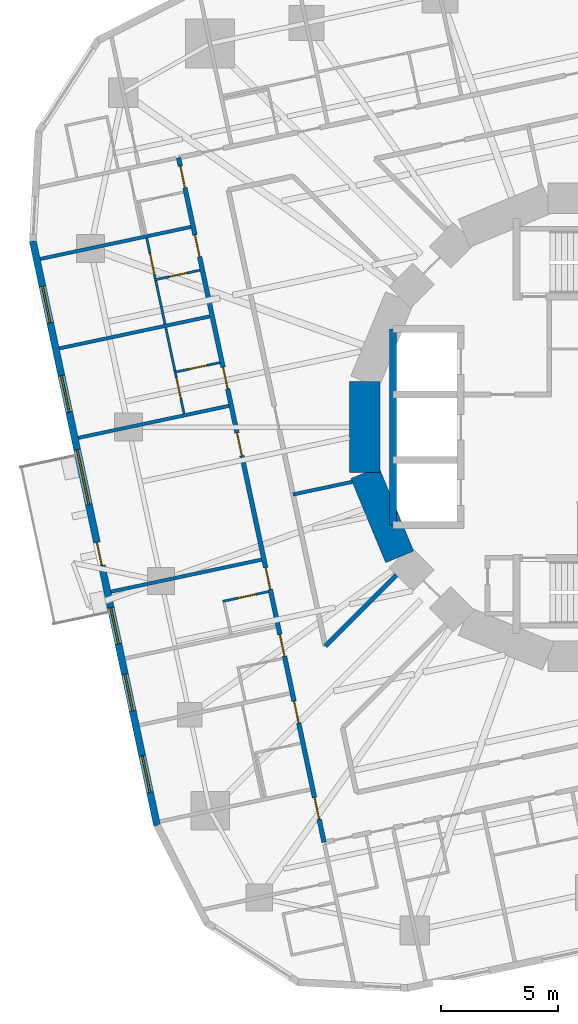
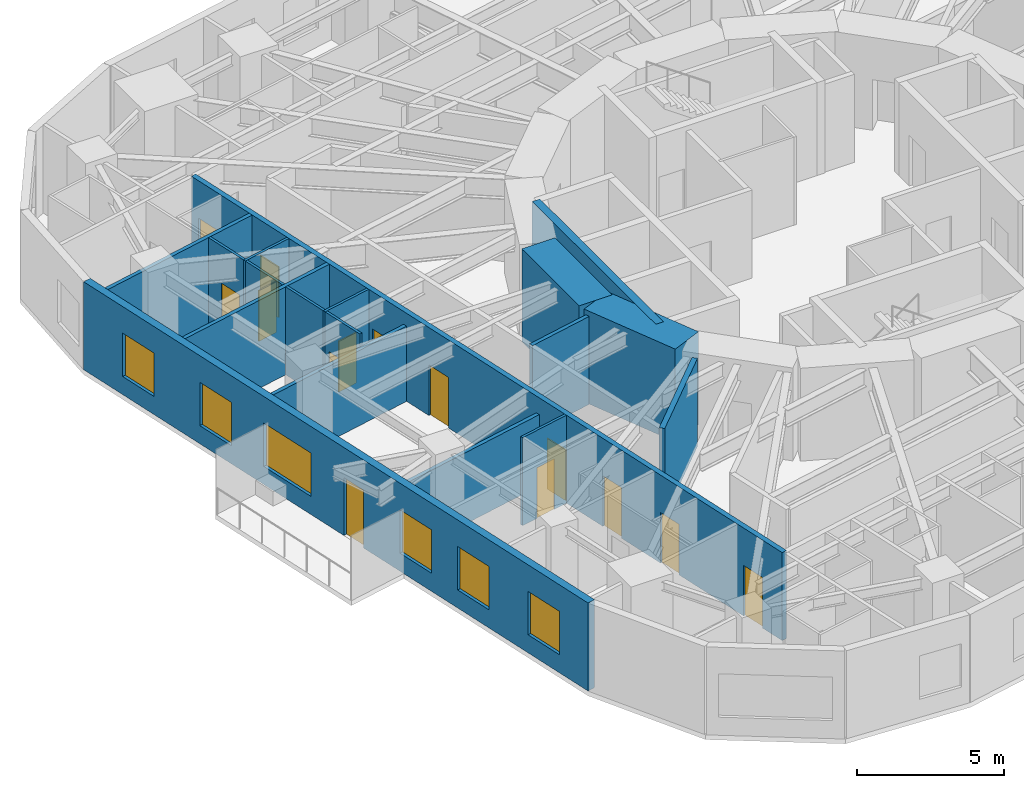
# One storey, part 6 of 14: 18 walls, 14 doors, 6 windows, 20 openings.
"""IFC4 building model written with IfcOpenShell, lengths in metres."""

from ifc_helpers import new_model, si_unit, direction, frame, frame_2d, origin, place, context, subcontext, project, spatial, rectangle, extrude, material, layer, layer_set, type_object, element, fill, save


model = new_model("IFC4")

# Units and contexts
model_context = context("Model", 3, precision=1e-05, world=origin(), true_north=direction((0.0, 1.0)))
body_context = subcontext(model_context, "Body", "Model", "MODEL_VIEW")
ifc_project = project(units=[si_unit("LENGTHUNIT", "METRE"), si_unit("AREAUNIT", "SQUARE_METRE"), si_unit("VOLUMEUNIT", "CUBIC_METRE"), si_unit("PLANEANGLEUNIT", "RADIAN"), si_unit("MASSUNIT", "GRAM", prefix="KILO")], contexts=[model_context])

# Site, building, storey
site_placement = place(None, origin())
site = spatial("IfcSite", under=ifc_project, at=site_placement, CompositionType="ELEMENT")
building_placement = place(site_placement, origin())
building = spatial("IfcBuilding", under=site, at=building_placement, Name="Nakasero Lantern House", CompositionType="ELEMENT")
storey_placement = place(building_placement, frame((0.0, 0.0, 124.25)))
storey = spatial("IfcBuildingStorey", under=building, at=storey_placement, Name="L30", CompositionType="ELEMENT", Elevation=124.25)

# Walls
ifc_material_1 = material(Name="Concrete C50/60", Category="concrete")
ifc_layer_1 = layer(ifc_material_1, 0.300048828125)
ifc_layer_set_1 = layer_set([ifc_layer_1], Name="Core inner wall 300")
wall_type_1 = type_object("IfcWallType", Name="Core inner wall 300", PredefinedType="SHEAR", material=ifc_layer_set_1)
wall_1_placement = place(storey_placement, frame((-8.60009765625, -4.199951171875, 0.0), z_axis=(0.0, 0.0, 1.0), x_axis=(0.0, 1.0, 0.0)))
element("IfcWall", 1, at=wall_1_placement, inside=storey, type_object=wall_type_1, Name="Core inner wall L30 LWB", PredefinedType="SHEAR", context=body_context, shape_type="SweptSolid", body=[
    extrude(rectangle(XDim=8.39990234375, YDim=0.300048828125, at=frame_2d((4.199951171875, 0.0))), origin(), (0.0, 0.0, 1.0), 3.85009765625),
])
ifc_material_2 = material(Name="Concrete C50/60", Category="concrete")
ifc_layer_2 = layer(ifc_material_2, 1.300048828125)
ifc_layer_set_2 = layer_set([ifc_layer_2], Name="Core wall 1300")
wall_type_2 = type_object("IfcWallType", Name="Core wall 1300", PredefinedType="SHEAR", material=ifc_layer_set_2)
for number, where, z_axis, x_axis, name in (
    (2, (-9.807861328125, 1.950927734375, 0.0), (0.0, 0.0, 1.0), (0.0, -1.0, 0.0), "Core wall L30 facet 8"),
    (3, (-9.807861328125, -1.950927734375, 0.0), (0.0, 0.0, 1.0), (0.382690736062, -0.923876507187, 0.0), "Core wall L30 facet 9"),
):
    element("IfcWall", number, at=place(storey_placement, frame(where, z_axis=z_axis, x_axis=x_axis)), inside=storey, type_object=wall_type_2, Name=name, PredefinedType="SHEAR", context=body_context, shape_type="SweptSolid", body=[
        extrude(rectangle(XDim=3.90185546875, YDim=1.300048828125, at=frame_2d((1.950927734375, 0.0))), origin(), (0.0, 0.0, 1.0), 3.85009765625),
    ])

# Wall, openings, doors
ifc_material_3 = material(Name="Blockwork", Category="masonry")
ifc_layer_3 = layer(ifc_material_3, 0.199951171875)
ifc_layer_set_3 = layer_set([ifc_layer_3], Name="Corridor wall 200")
wall_type_3 = type_object("IfcWallType", Name="Corridor wall 200", PredefinedType="PARTITIONING", material=ifc_layer_set_3)
wall_2_placement = place(storey_placement, frame((-17.790771484375, 11.553466796875, 0.0), z_axis=(0.0, 0.0, 1.0), x_axis=(0.207911508826, -0.978147639417, 0.0)))
wall_2 = element("IfcWall", 4, at=wall_2_placement, inside=storey, type_object=wall_type_3, Name="Corridor wall L30 CW2", PredefinedType="PARTITIONING", context=body_context, shape_type="SweptSolid", body=[
    extrude(rectangle(XDim=29.999755859375, YDim=0.199951171875, at=frame_2d((15.0, 0.0))), origin(), (0.0, 0.0, 1.0), 3.64990234375),
])
opening_1_placement = place(wall_2_placement, frame((0.375, 0.0, 0.0)))
opening_1 = element("IfcOpeningElement", 5, at=opening_1_placement, cuts=wall_2, Name="Opening D01", PredefinedType="OPENING", context=body_context, shape_type="SweptSolid", body=[
    extrude(rectangle(XDim=0.949951171875, YDim=2.10009765625, at=frame_2d((0.47509765625, 1.050048828125))), frame((0.0, 0.119873046875, 0.0), z_axis=(0.0, -1.0, 0.0), x_axis=(1.0, 0.0, 0.0)), (0.0, 0.0, 1.0), 0.239990234375),
])
opening_2_placement = place(wall_2_placement, frame((3.39111328125, 0.0, 0.0)))
opening_2 = element("IfcOpeningElement", 6, at=opening_2_placement, cuts=wall_2, Name="Opening D01", PredefinedType="OPENING", context=body_context, shape_type="SweptSolid", body=[
    extrude(rectangle(XDim=0.949951171875, YDim=2.10009765625, at=frame_2d((0.47509765625, 1.050048828125))), frame((0.0, 0.119873046875, 0.0), z_axis=(0.0, -1.0, 0.0), x_axis=(1.0, 0.0, 0.0)), (0.0, 0.0, 1.0), 0.239990234375),
])
opening_3_placement = place(wall_2_placement, frame((9.185546875, 0.0, 0.0)))
opening_3 = element("IfcOpeningElement", 7, at=opening_3_placement, cuts=wall_2, Name="Opening D01", PredefinedType="OPENING", context=body_context, shape_type="SweptSolid", body=[
    extrude(rectangle(XDim=0.949951171875, YDim=2.10009765625, at=frame_2d((0.47509765625, 1.050048828125))), frame((0.0, 0.119873046875, 0.0), z_axis=(0.0, -1.0, 0.0), x_axis=(1.0, 0.0, 0.0)), (0.0, 0.0, 1.0), 0.239990234375),
])
opening_4_placement = place(wall_2_placement, frame((17.967529296875, 0.0, 0.0)))
opening_4 = element("IfcOpeningElement", 8, at=opening_4_placement, cuts=wall_2, Name="Opening D01", PredefinedType="OPENING", context=body_context, shape_type="SweptSolid", body=[
    extrude(rectangle(XDim=0.949951171875, YDim=2.10009765625, at=frame_2d((0.47509765625, 1.050048828125))), frame((0.0, 0.119873046875, 0.0), z_axis=(0.0, -1.0, 0.0), x_axis=(1.0, 0.0, 0.0)), (0.0, 0.0, 1.0), 0.239990234375),
])
opening_5_placement = place(wall_2_placement, frame((20.89404296875, 0.0, 0.0)))
opening_5 = element("IfcOpeningElement", 9, at=opening_5_placement, cuts=wall_2, Name="Opening D01", PredefinedType="OPENING", context=body_context, shape_type="SweptSolid", body=[
    extrude(rectangle(XDim=0.949951171875, YDim=2.10009765625, at=frame_2d((0.47509765625, 1.050048828125))), frame((0.0, 0.119873046875, 0.0), z_axis=(0.0, -1.0, 0.0), x_axis=(1.0, 0.0, 0.0)), (0.0, 0.0, 1.0), 0.239990234375),
])
opening_6_placement = place(wall_2_placement, frame((23.8203125, 0.0, 0.0)))
opening_6 = element("IfcOpeningElement", 10, at=opening_6_placement, cuts=wall_2, Name="Opening D01", PredefinedType="OPENING", context=body_context, shape_type="SweptSolid", body=[
    extrude(rectangle(XDim=0.949951171875, YDim=2.10009765625, at=frame_2d((0.47509765625, 1.050048828125))), frame((0.0, 0.119873046875, 0.0), z_axis=(0.0, -1.0, 0.0), x_axis=(1.0, 0.0, 0.0)), (0.0, 0.0, 1.0), 0.239990234375),
])
opening_7_placement = place(wall_2_placement, frame((28.038330078125, 0.0, 0.0)))
opening_7 = element("IfcOpeningElement", 11, at=opening_7_placement, cuts=wall_2, Name="Opening D01", PredefinedType="OPENING", context=body_context, shape_type="SweptSolid", body=[
    extrude(rectangle(XDim=0.949951171875, YDim=2.10009765625, at=frame_2d((0.47509765625, 1.050048828125))), frame((0.0, 0.119873046875, 0.0), z_axis=(0.0, -1.0, 0.0), x_axis=(1.0, 0.0, 0.0)), (0.0, 0.0, 1.0), 0.239990234375),
])
opening_8_placement = place(wall_2_placement, frame((12.05517578125, 0.0, 0.0)))
opening_8 = element("IfcOpeningElement", 12, at=opening_8_placement, cuts=wall_2, Name="Opening D03", PredefinedType="OPENING", context=body_context, shape_type="SweptSolid", body=[
    extrude(rectangle(XDim=1.0, YDim=2.10009765625, at=frame_2d((0.5, 1.050048828125))), frame((0.0, 0.119873046875, 0.0), z_axis=(0.0, -1.0, 0.0), x_axis=(1.0, 0.0, 0.0)), (0.0, 0.0, 1.0), 0.239990234375),
])
ifc_material_4 = material(Name="Timber C24", Category="wood")
door_type_1 = type_object("IfcDoorType", Name="Bedroom door FD30S 950", OperationType="SINGLE_SWING_LEFT", PredefinedType="DOOR", material=ifc_material_4)
door_1_placement = place(opening_1_placement, origin())
door_1 = element("IfcDoor", 13, at=door_1_placement, inside=storey, type_object=door_type_1, Name="Door L30 D2-00", OperationType="SINGLE_SWING_LEFT", OverallHeight=2.10009765625, OverallWidth=0.949951171875, PredefinedType="DOOR", context=body_context, shape_type="SweptSolid", body=[
    extrude(rectangle(XDim=0.949951171875, YDim=2.10009765625, at=frame_2d((0.47509765625, 1.050048828125))), frame((0.0, 0.02490234375, 0.0), z_axis=(0.0, -1.0, 0.0), x_axis=(1.0, 0.0, 0.0)), (0.0, 0.0, 1.0), 0.050048828125),
])
fill(opening_1, door_1)
door_2_placement = place(opening_2_placement, origin())
door_2 = element("IfcDoor", 14, at=door_2_placement, inside=storey, type_object=door_type_1, Name="Door L30 D2-01", OperationType="SINGLE_SWING_LEFT", OverallHeight=2.10009765625, OverallWidth=0.949951171875, PredefinedType="DOOR", context=body_context, shape_type="SweptSolid", body=[
    extrude(rectangle(XDim=0.949951171875, YDim=2.10009765625, at=frame_2d((0.47509765625, 1.050048828125))), frame((0.0, 0.02490234375, 0.0), z_axis=(0.0, -1.0, 0.0), x_axis=(1.0, 0.0, 0.0)), (0.0, 0.0, 1.0), 0.050048828125),
])
fill(opening_2, door_2)
door_3_placement = place(opening_3_placement, origin())
door_3 = element("IfcDoor", 15, at=door_3_placement, inside=storey, type_object=door_type_1, Name="Door L30 D2-02", OperationType="SINGLE_SWING_LEFT", OverallHeight=2.10009765625, OverallWidth=0.949951171875, PredefinedType="DOOR", context=body_context, shape_type="SweptSolid", body=[
    extrude(rectangle(XDim=0.949951171875, YDim=2.10009765625, at=frame_2d((0.47509765625, 1.050048828125))), frame((0.0, 0.02490234375, 0.0), z_axis=(0.0, -1.0, 0.0), x_axis=(1.0, 0.0, 0.0)), (0.0, 0.0, 1.0), 0.050048828125),
])
fill(opening_3, door_3)
door_4_placement = place(opening_4_placement, origin())
door_4 = element("IfcDoor", 16, at=door_4_placement, inside=storey, type_object=door_type_1, Name="Door L30 D2-05", OperationType="SINGLE_SWING_RIGHT", OverallHeight=2.10009765625, OverallWidth=0.949951171875, PredefinedType="DOOR", context=body_context, shape_type="SweptSolid", body=[
    extrude(rectangle(XDim=0.949951171875, YDim=2.10009765625, at=frame_2d((0.47509765625, 1.050048828125))), frame((0.0, 0.02490234375, 0.0), z_axis=(0.0, -1.0, 0.0), x_axis=(1.0, 0.0, 0.0)), (0.0, 0.0, 1.0), 0.050048828125),
])
fill(opening_4, door_4)
door_5_placement = place(opening_5_placement, origin())
door_5 = element("IfcDoor", 17, at=door_5_placement, inside=storey, type_object=door_type_1, Name="Door L30 D2-06", OperationType="SINGLE_SWING_RIGHT", OverallHeight=2.10009765625, OverallWidth=0.949951171875, PredefinedType="DOOR", context=body_context, shape_type="SweptSolid", body=[
    extrude(rectangle(XDim=0.949951171875, YDim=2.10009765625, at=frame_2d((0.47509765625, 1.050048828125))), frame((0.0, 0.02490234375, 0.0), z_axis=(0.0, -1.0, 0.0), x_axis=(1.0, 0.0, 0.0)), (0.0, 0.0, 1.0), 0.050048828125),
])
fill(opening_5, door_5)
door_6_placement = place(opening_6_placement, origin())
door_6 = element("IfcDoor", 18, at=door_6_placement, inside=storey, type_object=door_type_1, Name="Door L30 D2-07", OperationType="SINGLE_SWING_RIGHT", OverallHeight=2.10009765625, OverallWidth=0.949951171875, PredefinedType="DOOR", context=body_context, shape_type="SweptSolid", body=[
    extrude(rectangle(XDim=0.949951171875, YDim=2.10009765625, at=frame_2d((0.47509765625, 1.050048828125))), frame((0.0, 0.02490234375, 0.0), z_axis=(0.0, -1.0, 0.0), x_axis=(1.0, 0.0, 0.0)), (0.0, 0.0, 1.0), 0.050048828125),
])
fill(opening_6, door_6)
door_7_placement = place(opening_7_placement, origin())
door_7 = element("IfcDoor", 19, at=door_7_placement, inside=storey, type_object=door_type_1, Name="Door L30 D2-08", OperationType="SINGLE_SWING_RIGHT", OverallHeight=2.10009765625, OverallWidth=0.949951171875, PredefinedType="DOOR", context=body_context, shape_type="SweptSolid", body=[
    extrude(rectangle(XDim=0.949951171875, YDim=2.10009765625, at=frame_2d((0.47509765625, 1.050048828125))), frame((0.0, 0.02490234375, 0.0), z_axis=(0.0, -1.0, 0.0), x_axis=(1.0, 0.0, 0.0)), (0.0, 0.0, 1.0), 0.050048828125),
])
fill(opening_7, door_7)
ifc_material_5 = material(Name="Timber C24", Category="wood")
door_type_2 = type_object("IfcDoorType", Name="Lounge door FD30S 1000", OperationType="SINGLE_SWING_LEFT", PredefinedType="DOOR", material=ifc_material_5)
door_8_placement = place(opening_8_placement, origin())
door_8 = element("IfcDoor", 20, at=door_8_placement, inside=storey, type_object=door_type_2, Name="Door L30 DK2", OperationType="SINGLE_SWING_LEFT", OverallHeight=2.10009765625, OverallWidth=1.0, PredefinedType="DOOR", context=body_context, shape_type="SweptSolid", body=[
    extrude(rectangle(XDim=1.0, YDim=2.10009765625, at=frame_2d((0.5, 1.050048828125))), frame((0.0, 0.02490234375, 0.0), z_axis=(0.0, -1.0, 0.0), x_axis=(1.0, 0.0, 0.0)), (0.0, 0.0, 1.0), 0.050048828125),
])
fill(opening_8, door_8)

# Wall
wall_3_placement = place(storey_placement, frame((-8.45556640625, -6.334228515625, 0.0), z_axis=(0.0, 0.0, 1.0), x_axis=(-0.707106781187, -0.707106781187, 0.0)))
element("IfcWall", 21, at=wall_3_placement, inside=storey, type_object=wall_type_3, Name="Corridor wall L30 PS10b", PredefinedType="PARTITIONING", context=body_context, shape_type="SweptSolid", body=[
    extrude(rectangle(XDim=4.30712890625, YDim=0.199951171875, at=frame_2d((2.153564453125, 0.0))), origin(), (0.0, 0.0, 1.0), 3.64990234375),
])

# Wall, opening, door
ifc_material_6 = material(Name="Blockwork", Category="masonry")
ifc_layer_4 = layer(ifc_material_6, 0.10009765625)
ifc_layer_set_4 = layer_set([ifc_layer_4], Name="En-suite wall 100")
wall_type_4 = type_object("IfcWallType", Name="En-suite wall 100", PredefinedType="PARTITIONING", material=ifc_layer_set_4)
wall_4_placement = place(storey_placement, frame((-16.86767578125, 6.7294921875, 0.0), z_axis=(0.0, 0.0, 1.0), x_axis=(-0.978128127149, -0.208003285743, 0.0)))
wall_4 = element("IfcWall", 22, at=wall_4_placement, inside=storey, type_object=wall_type_4, Name="En-suite wall L30 ES2-01", PredefinedType="PARTITIONING", context=body_context, shape_type="SweptSolid", body=[
    extrude(rectangle(XDim=2.0, YDim=0.10009765625, at=frame_2d((1.0, 0.0))), origin(), (0.0, 0.0, 1.0), 3.64990234375),
])
opening_9_placement = place(wall_4_placement, frame((0.550048828125, 0.0, 0.0)))
opening_9 = element("IfcOpeningElement", 23, at=opening_9_placement, cuts=wall_4, Name="Opening D02", PredefinedType="OPENING", context=body_context, shape_type="SweptSolid", body=[
    extrude(rectangle(XDim=0.800048828125, YDim=2.10009765625, at=frame_2d((0.39990234375, 1.050048828125))), frame((0.0, 0.070068359375, 0.0), z_axis=(0.0, -1.0, 0.0), x_axis=(1.0, 0.0, 0.0)), (0.0, 0.0, 1.0), 0.14013671875),
])
ifc_material_7 = material(Name="Timber C24", Category="wood")
door_type_3 = type_object("IfcDoorType", Name="En-suite door 800", OperationType="SINGLE_SWING_RIGHT", PredefinedType="DOOR", material=ifc_material_7)
door_9_placement = place(opening_9_placement, origin())
door_9 = element("IfcDoor", 24, at=door_9_placement, inside=storey, type_object=door_type_3, Name="Door L30 DE2-01", OperationType="SINGLE_SWING_LEFT", OverallHeight=2.10009765625, OverallWidth=0.800048828125, PredefinedType="DOOR", context=body_context, shape_type="SweptSolid", body=[
    extrude(rectangle(XDim=0.800048828125, YDim=2.10009765625, at=frame_2d((0.39990234375, 1.050048828125))), frame((0.0, 0.02490234375, 0.0), z_axis=(0.0, -1.0, 0.0), x_axis=(1.0, 0.0, 0.0)), (0.0, 0.0, 1.0), 0.050048828125),
])
fill(opening_9, door_9)

# Wall
wall_5_placement = place(storey_placement, frame((-18.7646484375, 6.275146484375, 0.0), z_axis=(0.0, 0.0, 1.0), x_axis=(0.207887952389, -0.978152646192, 0.0)))
element("IfcWall", 25, at=wall_5_placement, inside=storey, type_object=wall_type_4, Name="En-suite wall L30 EE2-01", PredefinedType="PARTITIONING", context=body_context, shape_type="SweptSolid", body=[
    extrude(rectangle(XDim=1.900146484375, YDim=0.10009765625, at=frame_2d((0.9501953125, 0.0))), origin(), (0.0, 0.0, 1.0), 3.64990234375),
])

# Wall, opening, door
wall_6_placement = place(storey_placement, frame((-16.025634765625, 2.767822265625, 0.0), z_axis=(0.0, 0.0, 1.0), x_axis=(-0.978152955943, -0.207886494942, 0.0)))
wall_6 = element("IfcWall", 26, at=wall_6_placement, inside=storey, type_object=wall_type_4, Name="En-suite wall L30 ES2-02", PredefinedType="PARTITIONING", context=body_context, shape_type="SweptSolid", body=[
    extrude(rectangle(XDim=2.0, YDim=0.10009765625, at=frame_2d((1.0, 0.0))), origin(), (0.0, 0.0, 1.0), 3.64990234375),
])
opening_10_placement = place(wall_6_placement, frame((0.550048828125, 0.0, 0.0)))
opening_10 = element("IfcOpeningElement", 27, at=opening_10_placement, cuts=wall_6, Name="Opening D02", PredefinedType="OPENING", context=body_context, shape_type="SweptSolid", body=[
    extrude(rectangle(XDim=0.800048828125, YDim=2.10009765625, at=frame_2d((0.39990234375, 1.050048828125))), frame((0.0, 0.070068359375, 0.0), z_axis=(0.0, -1.0, 0.0), x_axis=(1.0, 0.0, 0.0)), (0.0, 0.0, 1.0), 0.14013671875),
])
door_10_placement = place(opening_10_placement, origin())
door_10 = element("IfcDoor", 28, at=door_10_placement, inside=storey, type_object=door_type_3, Name="Door L30 DE2-02", OperationType="SINGLE_SWING_LEFT", OverallHeight=2.10009765625, OverallWidth=0.800048828125, PredefinedType="DOOR", context=body_context, shape_type="SweptSolid", body=[
    extrude(rectangle(XDim=0.800048828125, YDim=2.10009765625, at=frame_2d((0.39990234375, 1.050048828125))), frame((0.0, 0.02490234375, 0.0), z_axis=(0.0, -1.0, 0.0), x_axis=(1.0, 0.0, 0.0)), (0.0, 0.0, 1.0), 0.050048828125),
])
fill(opening_10, door_10)

# Wall
wall_7_placement = place(storey_placement, frame((-18.33837890625, 4.269775390625, 0.0), z_axis=(0.0, 0.0, 1.0), x_axis=(0.207914082431, -0.978147092378, 0.0)))
element("IfcWall", 29, at=wall_7_placement, inside=storey, type_object=wall_type_4, Name="En-suite wall L30 EE2-02", PredefinedType="PARTITIONING", context=body_context, shape_type="SweptSolid", body=[
    extrude(rectangle(XDim=1.89990234375, YDim=0.10009765625, at=frame_2d((0.949951171875, 0.0))), origin(), (0.0, 0.0, 1.0), 3.64990234375),
])

# Wall, opening, door
wall_8_placement = place(storey_placement, frame((-13.939697265625, -7.046142578125, 0.0), z_axis=(0.0, 0.0, 1.0), x_axis=(-0.978152955943, -0.207886494942, 0.0)))
wall_8 = element("IfcWall", 30, at=wall_8_placement, inside=storey, type_object=wall_type_4, Name="En-suite wall L30 ES2-05", PredefinedType="PARTITIONING", context=body_context, shape_type="SweptSolid", body=[
    extrude(rectangle(XDim=2.0, YDim=0.10009765625, at=frame_2d((1.0, 0.0))), origin(), (0.0, 0.0, 1.0), 3.64990234375),
])
opening_11_placement = place(wall_8_placement, frame((0.550048828125, 0.0, 0.0)))
opening_11 = element("IfcOpeningElement", 31, at=opening_11_placement, cuts=wall_8, Name="Opening D02", PredefinedType="OPENING", context=body_context, shape_type="SweptSolid", body=[
    extrude(rectangle(XDim=0.800048828125, YDim=2.10009765625, at=frame_2d((0.39990234375, 1.050048828125))), frame((0.0, 0.070068359375, 0.0), z_axis=(0.0, -1.0, 0.0), x_axis=(1.0, 0.0, 0.0)), (0.0, 0.0, 1.0), 0.14013671875),
])
door_11_placement = place(opening_11_placement, origin())
door_11 = element("IfcDoor", 32, at=door_11_placement, inside=storey, type_object=door_type_3, Name="Door L30 DE2-05", OperationType="SINGLE_SWING_LEFT", OverallHeight=2.10009765625, OverallWidth=0.800048828125, PredefinedType="DOOR", context=body_context, shape_type="SweptSolid", body=[
    extrude(rectangle(XDim=0.800048828125, YDim=2.10009765625, at=frame_2d((0.39990234375, 1.050048828125))), frame((0.0, 0.02490234375, 0.0), z_axis=(0.0, -1.0, 0.0), x_axis=(1.0, 0.0, 0.0)), (0.0, 0.0, 1.0), 0.050048828125),
])
fill(opening_11, door_11)

wall_9_placement = place(storey_placement, frame((-19.1533203125, 8.103759765625, 0.0), z_axis=(0.0, 0.0, 1.0), x_axis=(0.207908255933, -0.978148330835, 0.0)))
wall_9 = element("IfcWall", 33, at=wall_9_placement, inside=storey, type_object=wall_type_4, Name="En-suite wall L30 EL2-01", PredefinedType="PARTITIONING", context=body_context, shape_type="SweptSolid", body=[
    extrude(rectangle(XDim=1.76953125, YDim=0.10009765625, at=frame_2d((0.884765625, 0.0))), origin(), (0.0, 0.0, 1.0), 3.64990234375),
])
opening_12_placement = place(wall_9_placement, frame((0.66943359375, 0.0, 0.0)))
opening_12 = element("IfcOpeningElement", 34, at=opening_12_placement, cuts=wall_9, Name="Opening D17", PredefinedType="OPENING", context=body_context, shape_type="SweptSolid", body=[
    extrude(rectangle(XDim=0.89990234375, YDim=2.10009765625, at=frame_2d((0.449951171875, 1.050048828125))), frame((0.0, 0.070068359375, 0.0), z_axis=(0.0, -1.0, 0.0), x_axis=(1.0, 0.0, 0.0)), (0.0, 0.0, 1.0), 0.14013671875),
])
ifc_material_8 = material(Name="Timber C24", Category="wood")
door_type_4 = type_object("IfcDoorType", Name="Bedroom door FD30S 900", OperationType="SINGLE_SWING_LEFT", PredefinedType="DOOR", material=ifc_material_8)
door_12_placement = place(opening_12_placement, origin())
door_12 = element("IfcDoor", 35, at=door_12_placement, inside=storey, type_object=door_type_4, Name="Door L30 DL2-01", OperationType="SINGLE_SWING_RIGHT", OverallHeight=2.10009765625, OverallWidth=0.89990234375, PredefinedType="DOOR", context=body_context, shape_type="SweptSolid", body=[
    extrude(rectangle(XDim=0.89990234375, YDim=2.10009765625, at=frame_2d((0.449951171875, 1.050048828125))), frame((0.0, 0.02490234375, 0.0), z_axis=(0.0, -1.0, 0.0), x_axis=(1.0, 0.0, 0.0)), (0.0, 0.0, 1.0), 0.050048828125),
])
fill(opening_12, door_12)

wall_10_placement = place(storey_placement, frame((-17.922607421875, 2.3134765625, 0.0), z_axis=(0.0, 0.0, 1.0), x_axis=(0.207936316228, -0.978142366117, 0.0)))
wall_10 = element("IfcWall", 36, at=wall_10_placement, inside=storey, type_object=wall_type_4, Name="En-suite wall L30 EL2-02", PredefinedType="PARTITIONING", context=body_context, shape_type="SweptSolid", body=[
    extrude(rectangle(XDim=1.769287109375, YDim=0.10009765625, at=frame_2d((0.884765625, 0.0))), origin(), (0.0, 0.0, 1.0), 3.64990234375),
])
opening_13_placement = place(wall_10_placement, frame((0.199951171875, 0.0, 0.0)))
opening_13 = element("IfcOpeningElement", 37, at=opening_13_placement, cuts=wall_10, Name="Opening D17", PredefinedType="OPENING", context=body_context, shape_type="SweptSolid", body=[
    extrude(rectangle(XDim=0.89990234375, YDim=2.10009765625, at=frame_2d((0.449951171875, 1.050048828125))), frame((0.0, 0.070068359375, 0.0), z_axis=(0.0, -1.0, 0.0), x_axis=(1.0, 0.0, 0.0)), (0.0, 0.0, 1.0), 0.14013671875),
])
door_13_placement = place(opening_13_placement, origin())
door_13 = element("IfcDoor", 38, at=door_13_placement, inside=storey, type_object=door_type_4, Name="Door L30 DL2-02", OperationType="SINGLE_SWING_LEFT", OverallHeight=2.10009765625, OverallWidth=0.89990234375, PredefinedType="DOOR", context=body_context, shape_type="SweptSolid", body=[
    extrude(rectangle(XDim=0.89990234375, YDim=2.10009765625, at=frame_2d((0.449951171875, 1.050048828125))), frame((0.0, 0.02490234375, 0.0), z_axis=(0.0, -1.0, 0.0), x_axis=(1.0, 0.0, 0.0)), (0.0, 0.0, 1.0), 0.050048828125),
])
fill(opening_13, door_13)

# Wall, openings, door, windows
ifc_material_9 = material(Name="Aluminium rainscreen on blockwork", Category="masonry")
ifc_layer_5 = layer(ifc_material_9, 0.300048828125)
ifc_layer_set_5 = layer_set([ifc_layer_5], Name="Facade wall 300")
wall_type_5 = type_object("IfcWallType", Name="Facade wall 300", PredefinedType="SOLIDWALL", material=ifc_layer_set_5)
wall_11_placement = place(storey_placement, frame((-24.03369140625, 7.9775390625, 0.0), z_axis=(0.0, 0.0, 1.0), x_axis=(0.207909055127, -0.978148160964, 0.0)))
wall_11 = element("IfcWall", 39, at=wall_11_placement, inside=storey, type_object=wall_type_5, Name="Facade wall L30 FW2S", PredefinedType="SOLIDWALL", context=body_context, shape_type="SweptSolid", body=[
    extrude(rectangle(XDim=25.60009765625, YDim=0.300048828125, at=frame_2d((12.800048828125, 0.0))), origin(), (0.0, 0.0, 1.0), 3.64990234375),
])
opening_14_placement = place(wall_11_placement, frame((1.975830078125, 0.0, 0.75)))
opening_14 = element("IfcOpeningElement", 40, at=opening_14_placement, cuts=wall_11, Name="Opening W01", PredefinedType="OPENING", context=body_context, shape_type="SweptSolid", body=[
    extrude(rectangle(XDim=1.60009765625, YDim=1.800048828125, at=frame_2d((0.800048828125, 0.89990234375))), frame((0.0, 0.169921875, 0.0), z_axis=(0.0, -1.0, 0.0), x_axis=(1.0, 0.0, 0.0)), (0.0, 0.0, 1.0), 0.340087890625),
])
opening_15_placement = place(wall_11_placement, frame((5.8955078125, 0.0, 0.75)))
opening_15 = element("IfcOpeningElement", 41, at=opening_15_placement, cuts=wall_11, Name="Opening W01", PredefinedType="OPENING", context=body_context, shape_type="SweptSolid", body=[
    extrude(rectangle(XDim=1.60009765625, YDim=1.800048828125, at=frame_2d((0.800048828125, 0.89990234375))), frame((0.0, 0.169921875, 0.0), z_axis=(0.0, -1.0, 0.0), x_axis=(1.0, 0.0, 0.0)), (0.0, 0.0, 1.0), 0.340087890625),
])
opening_16_placement = place(wall_11_placement, frame((16.0556640625, 0.0, 0.75)))
opening_16 = element("IfcOpeningElement", 42, at=opening_16_placement, cuts=wall_11, Name="Opening W01", PredefinedType="OPENING", context=body_context, shape_type="SweptSolid", body=[
    extrude(rectangle(XDim=1.60009765625, YDim=1.800048828125, at=frame_2d((0.800048828125, 0.89990234375))), frame((0.0, 0.169921875, 0.0), z_axis=(0.0, -1.0, 0.0), x_axis=(1.0, 0.0, 0.0)), (0.0, 0.0, 1.0), 0.340087890625),
])
opening_17_placement = place(wall_11_placement, frame((18.982177734375, 0.0, 0.75)))
opening_17 = element("IfcOpeningElement", 43, at=opening_17_placement, cuts=wall_11, Name="Opening W01", PredefinedType="OPENING", context=body_context, shape_type="SweptSolid", body=[
    extrude(rectangle(XDim=1.60009765625, YDim=1.800048828125, at=frame_2d((0.800048828125, 0.89990234375))), frame((0.0, 0.169921875, 0.0), z_axis=(0.0, -1.0, 0.0), x_axis=(1.0, 0.0, 0.0)), (0.0, 0.0, 1.0), 0.340087890625),
])
opening_18_placement = place(wall_11_placement, frame((22.554443359375, 0.0, 0.75)))
opening_18 = element("IfcOpeningElement", 44, at=opening_18_placement, cuts=wall_11, Name="Opening W01", PredefinedType="OPENING", context=body_context, shape_type="SweptSolid", body=[
    extrude(rectangle(XDim=1.60009765625, YDim=1.800048828125, at=frame_2d((0.800048828125, 0.89990234375))), frame((0.0, 0.169921875, 0.0), z_axis=(0.0, -1.0, 0.0), x_axis=(1.0, 0.0, 0.0)), (0.0, 0.0, 1.0), 0.340087890625),
])
opening_19_placement = place(wall_11_placement, frame((9.139404296875, 0.0, 0.75)))
opening_19 = element("IfcOpeningElement", 45, at=opening_19_placement, cuts=wall_11, Name="Opening W03", PredefinedType="OPENING", context=body_context, shape_type="SweptSolid", body=[
    extrude(rectangle(XDim=2.39990234375, YDim=1.800048828125, at=frame_2d((1.199951171875, 0.89990234375))), frame((0.0, 0.169921875, 0.0), z_axis=(0.0, -1.0, 0.0), x_axis=(1.0, 0.0, 0.0)), (0.0, 0.0, 1.0), 0.340087890625),
])
opening_20_placement = place(wall_11_placement, frame((13.208251953125, 0.0, 0.0)))
opening_20 = element("IfcOpeningElement", 46, at=opening_20_placement, cuts=wall_11, Name="Opening D04", PredefinedType="OPENING", context=body_context, shape_type="SweptSolid", body=[
    extrude(rectangle(XDim=1.0, YDim=2.39990234375, at=frame_2d((0.5, 1.199951171875))), frame((0.0, 0.169921875, 0.0), z_axis=(0.0, -1.0, 0.0), x_axis=(1.0, 0.0, 0.0)), (0.0, 0.0, 1.0), 0.340087890625),
])
ifc_material_10 = material(Name="Aluminium 6063-T6 and glass", Category="aluminium")
door_type_5 = type_object("IfcDoorType", Name="Balcony door 1000x2400", OperationType="SINGLE_SWING_RIGHT", PredefinedType="DOOR", material=ifc_material_10)
door_14_placement = place(opening_20_placement, origin())
door_14 = element("IfcDoor", 47, at=door_14_placement, inside=storey, type_object=door_type_5, Name="Balcony door L30 DB2", OperationType="SINGLE_SWING_RIGHT", OverallHeight=2.39990234375, OverallWidth=1.0, PredefinedType="DOOR", context=body_context, shape_type="SweptSolid", body=[
    extrude(rectangle(XDim=1.0, YDim=2.39990234375, at=frame_2d((0.5, 1.199951171875))), frame((0.0, 0.02490234375, 0.0), z_axis=(0.0, -1.0, 0.0), x_axis=(1.0, 0.0, 0.0)), (0.0, 0.0, 1.0), 0.050048828125),
])
fill(opening_20, door_14)
ifc_material_11 = material(Name="Aluminium 6063-T6 and glass", Category="aluminium")
window_type_1 = type_object("IfcWindowType", Name="Bedroom window 1600x1800", PartitioningType="SINGLE_PANEL", PredefinedType="WINDOW", material=ifc_material_11)
window_1_placement = place(opening_14_placement, origin())
window_1 = element("IfcWindow", 48, at=window_1_placement, inside=storey, type_object=window_type_1, Name="Window L30 WN2-01", OverallHeight=1.800048828125, OverallWidth=1.60009765625, PartitioningType="SINGLE_PANEL", PredefinedType="WINDOW", context=body_context, shape_type="SweptSolid", body=[
    extrude(rectangle(XDim=1.60009765625, YDim=1.800048828125, at=frame_2d((0.800048828125, 0.89990234375))), frame((0.0, 0.030029296875, 0.0), z_axis=(0.0, -1.0, 0.0), x_axis=(1.0, 0.0, 0.0)), (0.0, 0.0, 1.0), 0.06005859375),
])
fill(opening_14, window_1)
window_2_placement = place(opening_15_placement, origin())
window_2 = element("IfcWindow", 49, at=window_2_placement, inside=storey, type_object=window_type_1, Name="Window L30 WN2-02", OverallHeight=1.800048828125, OverallWidth=1.60009765625, PartitioningType="SINGLE_PANEL", PredefinedType="WINDOW", context=body_context, shape_type="SweptSolid", body=[
    extrude(rectangle(XDim=1.60009765625, YDim=1.800048828125, at=frame_2d((0.800048828125, 0.89990234375))), frame((0.0, 0.030029296875, 0.0), z_axis=(0.0, -1.0, 0.0), x_axis=(1.0, 0.0, 0.0)), (0.0, 0.0, 1.0), 0.06005859375),
])
fill(opening_15, window_2)
window_3_placement = place(opening_16_placement, origin())
window_3 = element("IfcWindow", 50, at=window_3_placement, inside=storey, type_object=window_type_1, Name="Window L30 WN2-05", OverallHeight=1.800048828125, OverallWidth=1.60009765625, PartitioningType="SINGLE_PANEL", PredefinedType="WINDOW", context=body_context, shape_type="SweptSolid", body=[
    extrude(rectangle(XDim=1.60009765625, YDim=1.800048828125, at=frame_2d((0.800048828125, 0.89990234375))), frame((0.0, 0.030029296875, 0.0), z_axis=(0.0, -1.0, 0.0), x_axis=(1.0, 0.0, 0.0)), (0.0, 0.0, 1.0), 0.06005859375),
])
fill(opening_16, window_3)
window_4_placement = place(opening_17_placement, origin())
window_4 = element("IfcWindow", 51, at=window_4_placement, inside=storey, type_object=window_type_1, Name="Window L30 WN2-06", OverallHeight=1.800048828125, OverallWidth=1.60009765625, PartitioningType="SINGLE_PANEL", PredefinedType="WINDOW", context=body_context, shape_type="SweptSolid", body=[
    extrude(rectangle(XDim=1.60009765625, YDim=1.800048828125, at=frame_2d((0.800048828125, 0.89990234375))), frame((0.0, 0.030029296875, 0.0), z_axis=(0.0, -1.0, 0.0), x_axis=(1.0, 0.0, 0.0)), (0.0, 0.0, 1.0), 0.06005859375),
])
fill(opening_17, window_4)
window_5_placement = place(opening_18_placement, origin())
window_5 = element("IfcWindow", 52, at=window_5_placement, inside=storey, type_object=window_type_1, Name="Window L30 WN2-07", OverallHeight=1.800048828125, OverallWidth=1.60009765625, PartitioningType="SINGLE_PANEL", PredefinedType="WINDOW", context=body_context, shape_type="SweptSolid", body=[
    extrude(rectangle(XDim=1.60009765625, YDim=1.800048828125, at=frame_2d((0.800048828125, 0.89990234375))), frame((0.0, 0.030029296875, 0.0), z_axis=(0.0, -1.0, 0.0), x_axis=(1.0, 0.0, 0.0)), (0.0, 0.0, 1.0), 0.06005859375),
])
fill(opening_18, window_5)
ifc_material_12 = material(Name="Aluminium 6063-T6 and glass", Category="aluminium")
window_type_2 = type_object("IfcWindowType", Name="Lounge window 2400x1800", PartitioningType="SINGLE_PANEL", PredefinedType="WINDOW", material=ifc_material_12)
window_6_placement = place(opening_19_placement, origin())
window_6 = element("IfcWindow", 53, at=window_6_placement, inside=storey, type_object=window_type_2, Name="Window L30 WK2", OverallHeight=1.800048828125, OverallWidth=2.39990234375, PartitioningType="SINGLE_PANEL", PredefinedType="WINDOW", context=body_context, shape_type="SweptSolid", body=[
    extrude(rectangle(XDim=2.39990234375, YDim=1.800048828125, at=frame_2d((1.199951171875, 0.89990234375))), frame((0.0, 0.030029296875, 0.0), z_axis=(0.0, -1.0, 0.0), x_axis=(1.0, 0.0, 0.0)), (0.0, 0.0, 1.0), 0.06005859375),
])
fill(opening_19, window_6)

# Walls
ifc_material_13 = material(Name="Blockwork", Category="masonry")
ifc_layer_6 = layer(ifc_material_13, 0.14990234375)
ifc_layer_set_6 = layer_set([ifc_layer_6], Name="Party wall 150")
wall_type_6 = type_object("IfcWallType", Name="Party wall 150", PredefinedType="PARTITIONING", material=ifc_layer_set_6)
wall_12_placement = place(storey_placement, frame((-17.26171875, 8.58251953125, 0.0), z_axis=(0.0, 0.0, 1.0), x_axis=(-0.978143241716, -0.207932197326, 0.0)))
element("IfcWall", 54, at=wall_12_placement, inside=storey, type_object=wall_type_6, Name="Party wall L30 PW2-01", PredefinedType="PARTITIONING", context=body_context, shape_type="SweptSolid", body=[
    extrude(rectangle(XDim=6.599853515625, YDim=0.14990234375, at=frame_2d((3.2998046875, 0.0))), origin(), (0.0, 0.0, 1.0), 3.64990234375),
])
wall_13_placement = place(storey_placement, frame((-16.44677734375, 4.748779296875, 0.0), z_axis=(0.0, 0.0, 1.0), x_axis=(-0.978144841009, -0.207924673876, 0.0)))
element("IfcWall", 55, at=wall_13_placement, inside=storey, type_object=wall_type_6, Name="Party wall L30 PW2-02", PredefinedType="PARTITIONING", context=body_context, shape_type="SweptSolid", body=[
    extrude(rectangle(XDim=6.60009765625, YDim=0.14990234375, at=frame_2d((3.300048828125, 0.0))), origin(), (0.0, 0.0, 1.0), 3.64990234375),
])
wall_14_placement = place(storey_placement, frame((-15.6318359375, 0.914794921875, 0.0), z_axis=(0.0, 0.0, 1.0), x_axis=(-0.978144841009, -0.207924673876, 0.0)))
element("IfcWall", 56, at=wall_14_placement, inside=storey, type_object=wall_type_6, Name="Party wall L30 PW2-03", PredefinedType="PARTITIONING", context=body_context, shape_type="SweptSolid", body=[
    extrude(rectangle(XDim=6.60009765625, YDim=0.14990234375, at=frame_2d((3.300048828125, 0.0))), origin(), (0.0, 0.0, 1.0), 3.12158203125),
])
wall_15_placement = place(storey_placement, frame((-14.23095703125, -5.67529296875, 0.0), z_axis=(0.0, 0.0, 1.0), x_axis=(-0.978144841009, -0.207924673876, 0.0)))
element("IfcWall", 57, at=wall_15_placement, inside=storey, type_object=wall_type_6, Name="Party wall L30 PW2-05", PredefinedType="PARTITIONING", context=body_context, shape_type="SweptSolid", body=[
    extrude(rectangle(XDim=6.60009765625, YDim=0.14990234375, at=frame_2d((3.300048828125, 0.0))), origin(), (0.0, 0.0, 1.0), 2.95703125),
])
wall_16_placement = place(storey_placement, frame((-12.88232421875, -2.88134765625, 0.0), z_axis=(0.0, 0.0, 1.0), x_axis=(0.978137762495, 0.207957970708, 0.0)))
element("IfcWall", 58, at=wall_16_placement, inside=storey, type_object=wall_type_6, Name="Party wall L30 IM2", PredefinedType="PARTITIONING", context=body_context, shape_type="SweptSolid", body=[
    extrude(rectangle(XDim=2.58984375, YDim=0.14990234375, at=frame_2d((1.294921875, 0.0))), origin(), (0.0, 0.0, 1.0), 3.64990234375),
])

save(model, "model.ifc")
